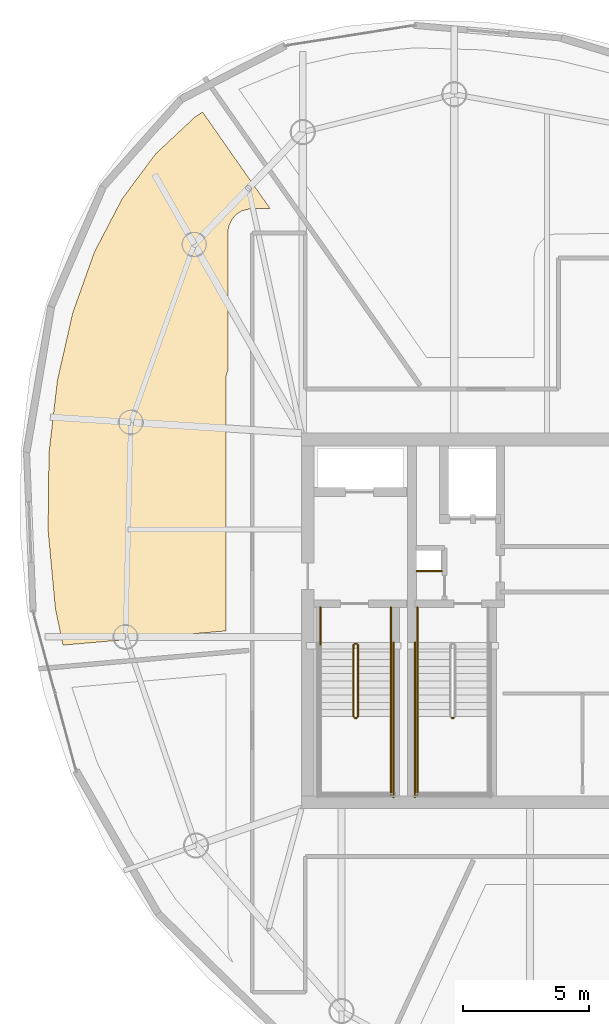
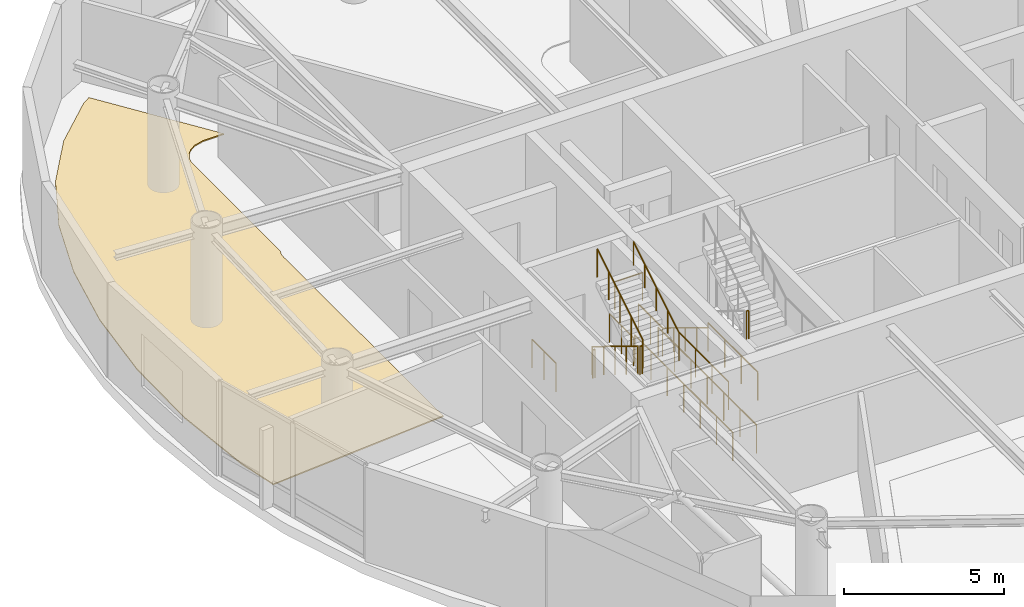
# One storey, part 18 of 20: 15 railings, 1 covering.
"""IFC4 building model written with IfcOpenShell, lengths in metres."""

from ifc_helpers import new_model, si_unit, direction, frame, origin, origin_2d, place, context, subcontext, project, spatial, polyline, circle, outline, extrude, material, layer, layer_set, type_object, element, save


model = new_model("IFC4")

# Units and contexts
model_context = context("Model", 3, precision=1e-05, world=origin(), true_north=direction((0.0, 1.0)))
body_context = subcontext(model_context, "Body", "Model", "MODEL_VIEW")
ifc_project = project(units=[si_unit("LENGTHUNIT", "METRE"), si_unit("AREAUNIT", "SQUARE_METRE"), si_unit("VOLUMEUNIT", "CUBIC_METRE"), si_unit("PLANEANGLEUNIT", "RADIAN"), si_unit("MASSUNIT", "GRAM", prefix="KILO")], contexts=[model_context])

# Site, building, storey
site_placement = place(None, origin())
site = spatial("IfcSite", under=ifc_project, at=site_placement, CompositionType="ELEMENT")
building_placement = place(site_placement, origin())
building = spatial("IfcBuilding", under=site, at=building_placement, Name="Bramvorn Convention Spire", CompositionType="ELEMENT")
storey_placement = place(building_placement, frame((0.0, 0.0, 242.050048828125)))
storey = spatial("IfcBuildingStorey", under=building, at=storey_placement, Name="L61", CompositionType="ELEMENT", Elevation=242.050048828125)

# Covering
ifc_material_1 = material(Name="Calcium-Sulphate Raised Access Office Floor", Category="steel")
ifc_layer = layer(ifc_material_1, 0.044921875)
ifc_layer_set = layer_set([ifc_layer], Name="Calcium-Sulphate Raised Access Office Floor - FLR-RAISED-45")
covering_type = type_object("IfcCoveringType", Name="FLR-RAISED-45", PredefinedType="FLOORING", material=ifc_layer_set)
covering_placement = place(storey_placement, origin())
element("IfcCovering", 1, at=covering_placement, inside=storey, type_object=covering_type, Name="L61 Open-Plan Digital Office C 3 raised floor finish", PredefinedType="FLOORING", context=body_context, shape_type="SweptSolid", body=[
    extrude(outline(polyline([(16.98486328125, 26.491455078125), (17.285400390625, 25.041015625), (23.75, 25.6064453125), (23.75, 35.60009765625), (23.766357421875, 35.765869140625), (23.830078125, 35.95751953125), (23.83984375, 41.53662109375), (23.888916015625, 41.732421875), (24.017578125, 41.972900390625), (24.153076171875, 42.12255859375), (24.3798828125, 42.274169921875), (24.74658203125, 42.368408203125), (25.5, 42.3701171875), (22.826171875, 46.1884765625), (22.519287109375, 45.99365234375), (20.9599609375, 44.534912109375), (19.632080078125, 42.75048828125), (18.533203125, 40.640625), (17.671630859375, 38.223388671875), (17.06298828125, 35.537841796875), (16.728759765625, 32.639892578125), (16.69384765625, 29.5986328125), (16.98486328125, 26.491455078125)])), origin(), (0.0, 0.0, 1.0), 0.044921875),
])

# Railings
ifc_material_2 = material(Name="Painted Steel Balustrade & Guardrail", Category="steel")
railing_type_1 = type_object("IfcRailingType", Name="RL-STAIR-GUARD-1100", PredefinedType="GUARDRAIL", material=ifc_material_2)
railing_1_placement = place(storey_placement, frame((28.81005859375, 25.050048828125, 0.175048828125)))
element("IfcRailing", 2, at=railing_1_placement, inside=storey, type_object=railing_type_1, Name="L61 ST1 stair guard 1", PredefinedType="GUARDRAIL", context=body_context, shape_type="SweptSolid", body=[
    extrude(circle(Radius=0.02392578125, at=origin_2d()), frame((0.0, 0.0, 1.076171875), z_axis=(0.0, -0.852179220489, 0.52325001306), x_axis=(1.0, 0.0, 0.0)), (0.0, 0.0, 1.0), 3.344482421875),
    extrude(circle(Radius=0.02099609375, at=origin_2d()), origin(), (0.0, 0.0, 1.0), 1.052001953125),
    extrude(circle(Radius=0.02099609375, at=origin_2d()), frame((0.0, -0.71240234375, 0.4375)), (0.0, 0.0, 1.0), 1.052001953125),
    extrude(circle(Radius=0.02099609375, at=origin_2d()), frame((0.0, -1.425048828125, 0.875)), (0.0, 0.0, 1.0), 1.052001953125),
    extrude(circle(Radius=0.02099609375, at=origin_2d()), frame((0.0, -2.1376953125, 1.3125)), (0.0, 0.0, 1.0), 1.052001953125),
    extrude(circle(Radius=0.02099609375, at=origin_2d()), frame((0.0, -2.85009765625, 1.75)), (0.0, 0.0, 1.0), 1.052001953125),
])
railing_2_placement = place(storey_placement, frame((28.860107421875, 22.14990234375, 1.925048828125)))
element("IfcRailing", 3, at=railing_2_placement, inside=storey, type_object=railing_type_1, Name="L61 ST1 stair guard 2", PredefinedType="GUARDRAIL", context=body_context, shape_type="SweptSolid", body=[
    extrude(circle(Radius=0.02392578125, at=origin_2d()), frame((0.0, 0.0, 1.076171875), z_axis=(1.0, 0.0, 0.0), x_axis=(0.0, 1.0, 0.0)), (0.0, 0.0, 1.0), 0.079833984375),
    extrude(circle(Radius=0.02099609375, at=origin_2d()), origin(), (0.0, 0.0, 1.0), 1.052001953125),
    extrude(circle(Radius=0.02099609375, at=origin_2d()), frame((0.079833984375, 0.0, 0.0)), (0.0, 0.0, 1.0), 1.052001953125),
])
railing_3_placement = place(storey_placement, frame((30.300048828125, 22.199951171875, 1.925048828125)))
element("IfcRailing", 4, at=railing_3_placement, inside=storey, type_object=railing_type_1, Name="L61 ST1 stair guard 4", PredefinedType="GUARDRAIL", context=body_context, shape_type="SweptSolid", body=[
    extrude(circle(Radius=0.02392578125, at=origin_2d()), frame((0.0, 0.0, 1.076171875), z_axis=(0.0, -1.0, 0.0), x_axis=(1.0, 0.0, 0.0)), (0.0, 0.0, 1.0), 3.099853515625),
    extrude(circle(Radius=0.02099609375, at=origin_2d()), origin(), (0.0, 0.0, 1.0), 1.052001953125),
    extrude(circle(Radius=0.02099609375, at=origin_2d()), frame((0.0, -1.033203125, 0.0)), (0.0, 0.0, 1.0), 1.052001953125),
    extrude(circle(Radius=0.02099609375, at=origin_2d()), frame((0.0, -2.066650390625, 0.0)), (0.0, 0.0, 1.0), 1.052001953125),
    extrude(circle(Radius=0.02099609375, at=origin_2d()), frame((0.0, -3.099853515625, 0.0)), (0.0, 0.0, 1.0), 1.052001953125),
])
railing_4_placement = place(storey_placement, frame((28.989990234375, 22.199951171875, 2.099853515625)))
element("IfcRailing", 5, at=railing_4_placement, inside=storey, type_object=railing_type_1, Name="L61 ST1 stair guard 6", PredefinedType="GUARDRAIL", context=body_context, shape_type="SweptSolid", body=[
    extrude(circle(Radius=0.02392578125, at=origin_2d()), frame((0.0, 0.0, 1.076171875), z_axis=(0.0, 0.852179220489, 0.52325001306), x_axis=(-1.0, 0.0, 0.0)), (0.0, 0.0, 1.0), 3.344482421875),
    extrude(circle(Radius=0.02099609375, at=origin_2d()), origin(), (0.0, 0.0, 1.0), 1.052001953125),
    extrude(circle(Radius=0.02099609375, at=origin_2d()), frame((0.0, 0.71240234375, 0.4375)), (0.0, 0.0, 1.0), 1.052001953125),
    extrude(circle(Radius=0.02099609375, at=origin_2d()), frame((0.0, 1.425048828125, 0.875)), (0.0, 0.0, 1.0), 1.052001953125),
    extrude(circle(Radius=0.02099609375, at=origin_2d()), frame((0.0, 2.1376953125, 1.3125)), (0.0, 0.0, 1.0), 1.052001953125),
    extrude(circle(Radius=0.02099609375, at=origin_2d()), frame((0.0, 2.85009765625, 1.75)), (0.0, 0.0, 1.0), 1.052001953125),
])
railing_5_placement = place(storey_placement, frame((28.860107421875, 25.10009765625, 0.0)))
element("IfcRailing", 6, at=railing_5_placement, inside=storey, type_object=railing_type_1, Name="L61 ST1 stair guard 7", PredefinedType="GUARDRAIL", context=body_context, shape_type="SweptSolid", body=[
    extrude(circle(Radius=0.02392578125, at=origin_2d()), frame((0.0, 0.0, 1.076171875), z_axis=(1.0, 0.0, 0.0), x_axis=(0.0, 1.0, 0.0)), (0.0, 0.0, 1.0), 0.079833984375),
    extrude(circle(Radius=0.02099609375, at=origin_2d()), origin(), (0.0, 0.0, 1.0), 1.052001953125),
    extrude(circle(Radius=0.02099609375, at=origin_2d()), frame((0.079833984375, 0.0, 0.0)), (0.0, 0.0, 1.0), 1.052001953125),
])
for number, where, name in (
    (7, (27.5, 26.550048828125, 0.0), "L61 ST1 stair guard 8"),
    (8, (30.300048828125, 26.550048828125, 0.0), "L61 ST1 stair guard 9"),
):
    element("IfcRailing", number, at=place(storey_placement, frame(where)), inside=storey, type_object=railing_type_1, Name=name, PredefinedType="GUARDRAIL", context=body_context, shape_type="SweptSolid", body=[
        extrude(circle(Radius=0.02392578125, at=origin_2d()), frame((0.0, 0.0, 1.076171875), z_axis=(0.0, -1.0, 0.0), x_axis=(1.0, 0.0, 0.0)), (0.0, 0.0, 1.0), 1.5),
        extrude(circle(Radius=0.02099609375, at=origin_2d()), origin(), (0.0, 0.0, 1.0), 1.052001953125),
        extrude(circle(Radius=0.02099609375, at=origin_2d()), frame((0.0, -0.75, 0.0)), (0.0, 0.0, 1.0), 1.052001953125),
        extrude(circle(Radius=0.02099609375, at=origin_2d()), frame((0.0, -1.5, 0.0)), (0.0, 0.0, 1.0), 1.052001953125),
    ])
railing_6_placement = place(storey_placement, frame((30.39990234375, 25.14990234375, 0.0)))
element("IfcRailing", 9, at=railing_6_placement, inside=storey, type_object=railing_type_1, Name="L61 ST1 stair guard 11", PredefinedType="GUARDRAIL", context=body_context, shape_type="SweptSolid", body=[
    extrude(circle(Radius=0.02392578125, at=origin_2d()), frame((0.0, 0.0, 1.076171875), z_axis=(0.0, -1.0, 0.0), x_axis=(1.0, 0.0, 0.0)), (0.0, 0.0, 1.0), 6.14990234375),
    extrude(circle(Radius=0.02099609375, at=origin_2d()), origin(), (0.0, 0.0, 1.0), 1.052001953125),
    extrude(circle(Radius=0.02099609375, at=origin_2d()), frame((0.0, -1.02490234375, 0.0)), (0.0, 0.0, 1.0), 1.052001953125),
    extrude(circle(Radius=0.02099609375, at=origin_2d()), frame((0.0, -2.050048828125, 0.0)), (0.0, 0.0, 1.0), 1.052001953125),
    extrude(circle(Radius=0.02099609375, at=origin_2d()), frame((0.0, -3.074951171875, 0.0)), (0.0, 0.0, 1.0), 1.052001953125),
    extrude(circle(Radius=0.02099609375, at=origin_2d()), frame((0.0, -4.099853515625, 0.0)), (0.0, 0.0, 1.0), 1.052001953125),
    extrude(circle(Radius=0.02099609375, at=origin_2d()), frame((0.0, -5.125, 0.0)), (0.0, 0.0, 1.0), 1.052001953125),
    extrude(circle(Radius=0.02099609375, at=origin_2d()), frame((0.0, -6.14990234375, 0.0)), (0.0, 0.0, 1.0), 1.052001953125),
])
railing_7_placement = place(storey_placement, frame((32.7099609375, 22.14990234375, 1.925048828125)))
element("IfcRailing", 10, at=railing_7_placement, inside=storey, type_object=railing_type_1, Name="L61 ST3 stair guard 2", PredefinedType="GUARDRAIL", context=body_context, shape_type="SweptSolid", body=[
    extrude(circle(Radius=0.02392578125, at=origin_2d()), frame((0.0, 0.0, 1.076171875), z_axis=(1.0, 0.0, 0.0), x_axis=(0.0, 1.0, 0.0)), (0.0, 0.0, 1.0), 0.080078125),
    extrude(circle(Radius=0.02099609375, at=origin_2d()), origin(), (0.0, 0.0, 1.0), 1.052001953125),
    extrude(circle(Radius=0.02099609375, at=origin_2d()), frame((0.080078125, 0.0, 0.0)), (0.0, 0.0, 1.0), 1.052001953125),
])
railing_8_placement = place(storey_placement, frame((31.35009765625, 22.199951171875, 1.925048828125)))
element("IfcRailing", 11, at=railing_8_placement, inside=storey, type_object=railing_type_1, Name="L61 ST3 stair guard 3", PredefinedType="GUARDRAIL", context=body_context, shape_type="SweptSolid", body=[
    extrude(circle(Radius=0.02392578125, at=origin_2d()), frame((0.0, 0.0, 1.076171875), z_axis=(0.0, -1.0, 0.0), x_axis=(1.0, 0.0, 0.0)), (0.0, 0.0, 1.0), 3.099853515625),
    extrude(circle(Radius=0.02099609375, at=origin_2d()), origin(), (0.0, 0.0, 1.0), 1.052001953125),
    extrude(circle(Radius=0.02099609375, at=origin_2d()), frame((0.0, -1.033203125, 0.0)), (0.0, 0.0, 1.0), 1.052001953125),
    extrude(circle(Radius=0.02099609375, at=origin_2d()), frame((0.0, -2.066650390625, 0.0)), (0.0, 0.0, 1.0), 1.052001953125),
    extrude(circle(Radius=0.02099609375, at=origin_2d()), frame((0.0, -3.099853515625, 0.0)), (0.0, 0.0, 1.0), 1.052001953125),
])
railing_9_placement = place(storey_placement, frame((31.35009765625, 26.550048828125, 0.0)))
element("IfcRailing", 12, at=railing_9_placement, inside=storey, type_object=railing_type_1, Name="L61 ST3 stair guard 8", PredefinedType="GUARDRAIL", context=body_context, shape_type="SweptSolid", body=[
    extrude(circle(Radius=0.02392578125, at=origin_2d()), frame((0.0, 0.0, 1.076171875), z_axis=(0.0, -1.0, 0.0), x_axis=(1.0, 0.0, 0.0)), (0.0, 0.0, 1.0), 1.5),
    extrude(circle(Radius=0.02099609375, at=origin_2d()), origin(), (0.0, 0.0, 1.0), 1.052001953125),
    extrude(circle(Radius=0.02099609375, at=origin_2d()), frame((0.0, -0.75, 0.0)), (0.0, 0.0, 1.0), 1.052001953125),
    extrude(circle(Radius=0.02099609375, at=origin_2d()), frame((0.0, -1.5, 0.0)), (0.0, 0.0, 1.0), 1.052001953125),
])
railing_10_placement = place(storey_placement, frame((31.25, 25.14990234375, 0.0)))
element("IfcRailing", 13, at=railing_10_placement, inside=storey, type_object=railing_type_1, Name="L61 ST3 stair guard 10", PredefinedType="GUARDRAIL", context=body_context, shape_type="SweptSolid", body=[
    extrude(circle(Radius=0.02392578125, at=origin_2d()), frame((0.0, 0.0, 1.076171875), z_axis=(0.0, -1.0, 0.0), x_axis=(1.0, 0.0, 0.0)), (0.0, 0.0, 1.0), 6.14990234375),
    extrude(circle(Radius=0.02099609375, at=origin_2d()), origin(), (0.0, 0.0, 1.0), 1.052001953125),
    extrude(circle(Radius=0.02099609375, at=origin_2d()), frame((0.0, -1.02490234375, 0.0)), (0.0, 0.0, 1.0), 1.052001953125),
    extrude(circle(Radius=0.02099609375, at=origin_2d()), frame((0.0, -2.050048828125, 0.0)), (0.0, 0.0, 1.0), 1.052001953125),
    extrude(circle(Radius=0.02099609375, at=origin_2d()), frame((0.0, -3.074951171875, 0.0)), (0.0, 0.0, 1.0), 1.052001953125),
    extrude(circle(Radius=0.02099609375, at=origin_2d()), frame((0.0, -4.099853515625, 0.0)), (0.0, 0.0, 1.0), 1.052001953125),
    extrude(circle(Radius=0.02099609375, at=origin_2d()), frame((0.0, -5.125, 0.0)), (0.0, 0.0, 1.0), 1.052001953125),
    extrude(circle(Radius=0.02099609375, at=origin_2d()), frame((0.0, -6.14990234375, 0.0)), (0.0, 0.0, 1.0), 1.052001953125),
])
railing_11_placement = place(storey_placement, frame((31.320068359375, 27.97998046875, 0.0)))
element("IfcRailing", 14, at=railing_11_placement, inside=storey, type_object=railing_type_1, Name="L61 Telecom riser shaft opening safety guardrail", PredefinedType="GUARDRAIL", context=body_context, shape_type="SweptSolid", body=[
    extrude(circle(Radius=0.02392578125, at=origin_2d()), frame((0.0, 0.0, 1.076171875), z_axis=(1.0, 0.0, 0.0), x_axis=(0.0, 1.0, 0.0)), (0.0, 0.0, 1.0), 1.0),
    extrude(circle(Radius=0.02099609375, at=origin_2d()), origin(), (0.0, 0.0, 1.0), 1.052001953125),
    extrude(circle(Radius=0.02099609375, at=origin_2d()), frame((1.0, 0.0, 0.0)), (0.0, 0.0, 1.0), 1.052001953125),
])
ifc_material_3 = material(Name="Brushed Bronze Tubular Handrail", Category="aluminium")
railing_type_2 = type_object("IfcRailingType", Name="RL-STAIR-HR-920", PredefinedType="HANDRAIL", material=ifc_material_3)
railing_12_placement = place(storey_placement, frame((30.300048828125, 22.199951171875, 2.099853515625)))
element("IfcRailing", 15, at=railing_12_placement, inside=storey, type_object=railing_type_2, Name="L61 ST1 stair handrail 2", PredefinedType="HANDRAIL", context=body_context, shape_type="SweptSolid", body=[
    extrude(circle(Radius=0.02392578125, at=origin_2d()), frame((0.0, 0.0, 0.89599609375), z_axis=(0.0, 0.852179220489, 0.52325001306), x_axis=(-1.0, 0.0, 0.0)), (0.0, 0.0, 1.0), 3.344482421875),
    extrude(circle(Radius=0.02099609375, at=origin_2d()), origin(), (0.0, 0.0, 1.0), 0.871826171875),
    extrude(circle(Radius=0.02099609375, at=origin_2d()), frame((0.0, 0.71240234375, 0.4375)), (0.0, 0.0, 1.0), 0.871826171875),
    extrude(circle(Radius=0.02099609375, at=origin_2d()), frame((0.0, 1.425048828125, 0.875)), (0.0, 0.0, 1.0), 0.871826171875),
    extrude(circle(Radius=0.02099609375, at=origin_2d()), frame((0.0, 2.1376953125, 1.3125)), (0.0, 0.0, 1.0), 0.871826171875),
    extrude(circle(Radius=0.02099609375, at=origin_2d()), frame((0.0, 2.85009765625, 1.75)), (0.0, 0.0, 1.0), 0.871826171875),
])
railing_13_placement = place(storey_placement, frame((31.35009765625, 25.050048828125, 0.175048828125)))
element("IfcRailing", 16, at=railing_13_placement, inside=storey, type_object=railing_type_2, Name="L61 ST3 stair handrail 1", PredefinedType="HANDRAIL", context=body_context, shape_type="SweptSolid", body=[
    extrude(circle(Radius=0.02392578125, at=origin_2d()), frame((0.0, 0.0, 0.89599609375), z_axis=(0.0, -0.852179220489, 0.52325001306), x_axis=(1.0, 0.0, 0.0)), (0.0, 0.0, 1.0), 3.344482421875),
    extrude(circle(Radius=0.02099609375, at=origin_2d()), origin(), (0.0, 0.0, 1.0), 0.871826171875),
    extrude(circle(Radius=0.02099609375, at=origin_2d()), frame((0.0, -0.71240234375, 0.4375)), (0.0, 0.0, 1.0), 0.871826171875),
    extrude(circle(Radius=0.02099609375, at=origin_2d()), frame((0.0, -1.425048828125, 0.875)), (0.0, 0.0, 1.0), 0.871826171875),
    extrude(circle(Radius=0.02099609375, at=origin_2d()), frame((0.0, -2.1376953125, 1.3125)), (0.0, 0.0, 1.0), 0.871826171875),
    extrude(circle(Radius=0.02099609375, at=origin_2d()), frame((0.0, -2.85009765625, 1.75)), (0.0, 0.0, 1.0), 0.871826171875),
])

save(model, "model.ifc")
